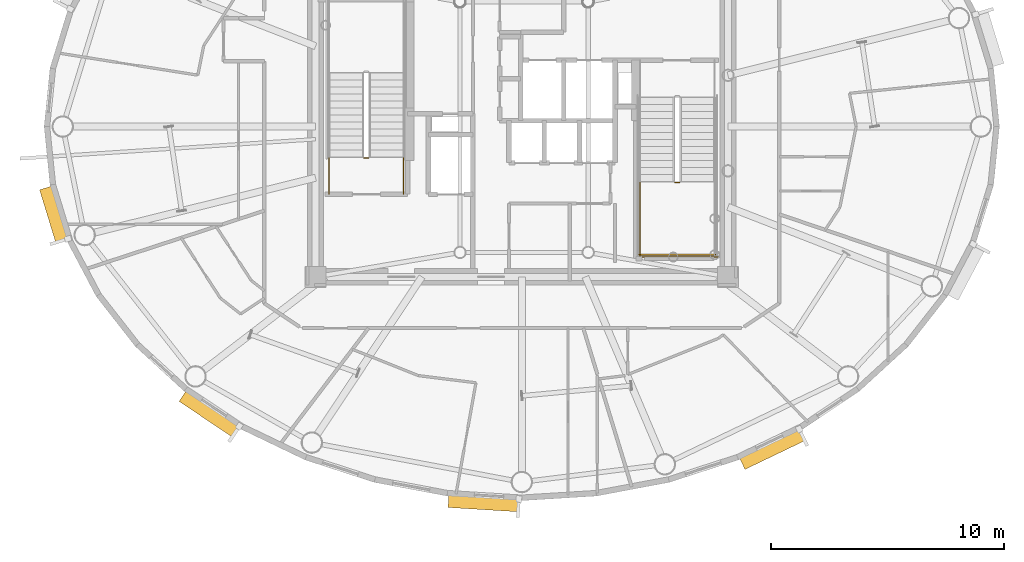
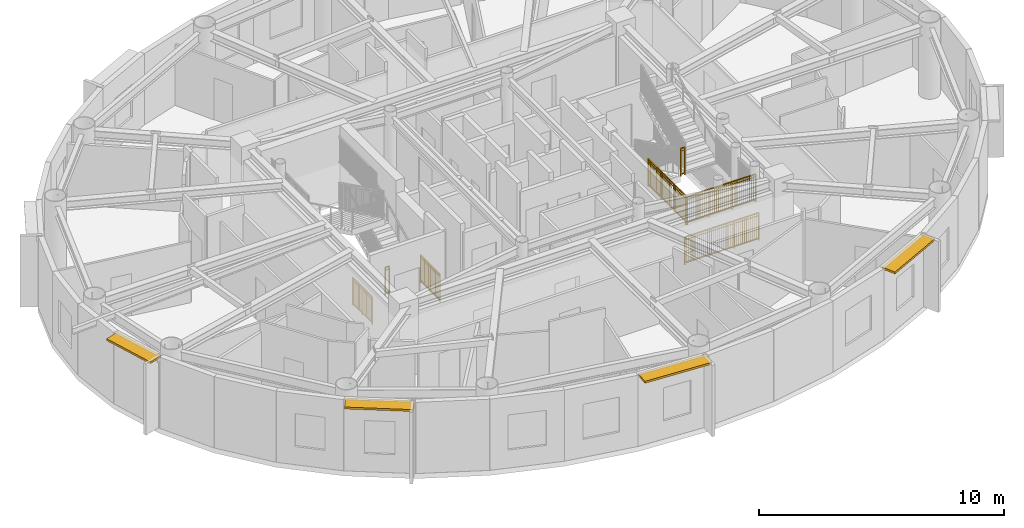
# One storey, part 12 of 17: 7 railings, 4 shading devices.
"""IFC4 building model written with IfcOpenShell, lengths in metres."""

from ifc_helpers import new_model, si_unit, direction, frame, origin, origin_2d, place, context, subcontext, project, spatial, rectangle, extrude, source, transform, mapped, material, layer, layer_set, type_object, element, save


model = new_model("IFC4")

# Units and contexts
model_context = context("Model", 3, precision=1e-05, world=origin(), true_north=direction((0.0, 1.0)))
body_context = subcontext(model_context, "Body", "Model", "MODEL_VIEW")
ifc_project = project(units=[si_unit("LENGTHUNIT", "METRE"), si_unit("AREAUNIT", "SQUARE_METRE"), si_unit("VOLUMEUNIT", "CUBIC_METRE"), si_unit("PLANEANGLEUNIT", "RADIAN"), si_unit("MASSUNIT", "GRAM", prefix="KILO")], contexts=[model_context])

# Site, building, storey
site_placement = place(None, origin())
site = spatial("IfcSite", under=ifc_project, at=site_placement, CompositionType="ELEMENT")
building_placement = place(site_placement, origin())
building = spatial("IfcBuilding", under=site, at=building_placement, Name="Linh Dai School and Residence Tower", CompositionType="ELEMENT")
storey_placement = place(building_placement, frame((0.0, 0.0, 331.60009765625)))
storey = spatial("IfcBuildingStorey", under=building, at=storey_placement, Name="L82", CompositionType="ELEMENT", Elevation=331.60009765625)

# Shading devices
ifc_material_1 = material(Name="Terracotta Ceramic Sunshade", Category="masonry")
ifc_layer = layer(ifc_material_1, 0.10009765625)
ifc_layer_set = layer_set([ifc_layer], Name="Terracotta Ceramic Sunshade")
shading_device_type = type_object("IfcShadingDeviceType", Name="SHD-TC-650", PredefinedType="USERDEFINED", material=ifc_layer_set)
shared_shape_1 = source(origin(), body_context, "Body", "SweptSolid", [
    extrude(rectangle(XDim=2.4365234375, YDim=0.64990234375, at=origin_2d()), origin(), (0.0, 0.0, 1.0), 0.10009765625),
])
shading_device_1_placement = place(storey_placement, frame((15.974365234375, 23.21630859375, 3.429931640625), z_axis=(0.0, 0.0, 1.0), x_axis=(-0.293094784248, 0.956083389379, 0.0)))
element("IfcShadingDevice", 1, at=shading_device_1_placement, inside=storey, type_object=shading_device_type, Name="L82 Terracotta Horizontal Sunshade Band 22", ObjectType="SUNSHADE", PredefinedType="USERDEFINED", context=body_context, shape_type="MappedRepresentation", body=[
    mapped(shared_shape_1, transform((0.0, 0.0, 0.0), x_axis=(1.0, 0.0, 0.0), y_axis=(0.0, 1.0, 0.0), z_axis=(0.0, 0.0, 1.0), scale=1.0)),
])
shared_shape_2 = source(origin(), body_context, "Body", "SweptSolid", [
    extrude(rectangle(XDim=2.8076171875, YDim=0.64990234375, at=origin_2d()), origin(), (0.0, 0.0, 1.0), 0.10009765625),
])
shading_device_2_placement = place(storey_placement, frame((22.638427734375, 14.696044921875, 3.429931640625), z_axis=(0.0, 0.0, 1.0), x_axis=(-0.831201837679, 0.555970777144, 0.0)))
element("IfcShadingDevice", 2, at=shading_device_2_placement, inside=storey, type_object=shading_device_type, Name="L82 Terracotta Horizontal Sunshade Band 26", ObjectType="SUNSHADE", PredefinedType="USERDEFINED", context=body_context, shape_type="MappedRepresentation", body=[
    mapped(shared_shape_2, transform((0.0, 0.0, 0.0), x_axis=(1.0, 0.0, 0.0), y_axis=(0.0, 1.0, 0.0), z_axis=(0.0, 0.0, 1.0), scale=1.0)),
])
shared_shape_3 = source(origin(), body_context, "Body", "SweptSolid", [
    extrude(rectangle(XDim=3.069580078125, YDim=0.64990234375, at=origin_2d()), origin(), (0.0, 0.0, 1.0), 0.10009765625),
])
shading_device_3_placement = place(storey_placement, frame((34.38671875, 10.8837890625, 3.429931640625), z_axis=(0.0, 0.0, 1.0), x_axis=(-0.998105945335, 0.061518467854, 0.0)))
element("IfcShadingDevice", 3, at=shading_device_3_placement, inside=storey, type_object=shading_device_type, Name="L82 Terracotta Horizontal Sunshade Band 30", ObjectType="SUNSHADE", PredefinedType="USERDEFINED", context=body_context, shape_type="MappedRepresentation", body=[
    mapped(shared_shape_3, transform((0.0, 0.0, 0.0), x_axis=(1.0, 0.0, 0.0), y_axis=(0.0, 1.0, 0.0), z_axis=(0.0, 0.0, 1.0), scale=1.0)),
])
shared_shape_4 = source(origin(), body_context, "Body", "SweptSolid", [
    extrude(rectangle(XDim=2.904052734375, YDim=0.64990234375, at=origin_2d()), origin(), (0.0, 0.0, 1.0), 0.10009765625),
])
shading_device_4_placement = place(storey_placement, frame((46.74755859375, 13.20849609375, 3.429931640625), z_axis=(0.0, 0.0, 1.0), x_axis=(-0.901550652892, -0.432673572419, 0.0)))
element("IfcShadingDevice", 4, at=shading_device_4_placement, inside=storey, type_object=shading_device_type, Name="L82 Terracotta Horizontal Sunshade Band 34", ObjectType="SUNSHADE", PredefinedType="USERDEFINED", context=body_context, shape_type="MappedRepresentation", body=[
    mapped(shared_shape_4, transform((0.0, 0.0, 0.0), x_axis=(1.0, 0.0, 0.0), y_axis=(0.0, 1.0, 0.0), z_axis=(0.0, 0.0, 1.0), scale=1.0)),
])

# Railings
ifc_material_2 = material(Name="Structural Steel S355JR", Category="steel")
railing_type = type_object("IfcRailingType", Name="RL-ST-GUARD-1400", PredefinedType="GUARDRAIL", material=ifc_material_2)
shared_shape_5 = source(origin(), body_context, "Body", "SweptSolid", [
    extrude(rectangle(XDim=0.048095703125, YDim=0.048095703125, at=origin_2d()), frame((0.0, 0.0, 1.3759765625), z_axis=(-1.0, 0.0, 0.0), x_axis=(0.0, -1.0, 0.0)), (0.0, 0.0, 1.0), 0.199951171875),
    extrude(rectangle(XDim=0.048095703125, YDim=0.048095703125, at=origin_2d()), frame((0.0, 0.0, 0.10009765625), z_axis=(-1.0, 0.0, 0.0), x_axis=(0.0, -1.0, 0.0)), (0.0, 0.0, 1.0), 0.199951171875),
    extrude(rectangle(XDim=0.030029296875, YDim=0.030029296875, at=origin_2d()), frame((0.0, 0.0, 1.239990234375), z_axis=(-1.0, 0.0, 0.0), x_axis=(0.0, -1.0, 0.0)), (0.0, 0.0, 1.0), 0.199951171875),
    extrude(rectangle(XDim=0.0419921875, YDim=0.0419921875, at=origin_2d()), origin(), (0.0, 0.0, 1.0), 1.3759765625),
    extrude(rectangle(XDim=0.0419921875, YDim=0.0419921875, at=origin_2d()), frame((-0.199951171875, 0.0, 0.0)), (0.0, 0.0, 1.0), 1.3759765625),
])
railing_1_placement = place(storey_placement, frame((29.429931640625, 25.64990234375, 0.0)))
element("IfcRailing", 5, at=railing_1_placement, inside=storey, type_object=railing_type, Name="L82 ST1 stair guard 7", PredefinedType="GUARDRAIL", context=body_context, shape_type="MappedRepresentation", body=[
    mapped(shared_shape_5, transform((0.0, 0.0, 0.0), x_axis=(1.0, 0.0, 0.0), y_axis=(0.0, 1.0, 0.0), z_axis=(0.0, 0.0, 1.0), scale=1.0)),
])
shared_shape_6 = source(origin(), body_context, "Body", "SweptSolid", [
    extrude(rectangle(XDim=0.048095703125, YDim=0.048095703125, at=origin_2d()), frame((0.0, 0.0, 1.3759765625), z_axis=(0.0, 1.0, 0.0), x_axis=(-1.0, 0.0, 0.0)), (0.0, 0.0, 1.0), 1.599853515625),
    extrude(rectangle(XDim=0.048095703125, YDim=0.048095703125, at=origin_2d()), frame((0.0, 0.0, 0.10009765625), z_axis=(0.0, 1.0, 0.0), x_axis=(-1.0, 0.0, 0.0)), (0.0, 0.0, 1.0), 1.599853515625),
    extrude(rectangle(XDim=0.030029296875, YDim=0.030029296875, at=origin_2d()), frame((0.0, 0.0, 1.239990234375), z_axis=(0.0, 1.0, 0.0), x_axis=(-1.0, 0.0, 0.0)), (0.0, 0.0, 1.0), 1.599853515625),
    extrude(rectangle(XDim=0.02001953125, YDim=0.02001953125, at=origin_2d()), frame((0.0, 0.093994140625, 0.10009765625)), (0.0, 0.0, 1.0), 1.251708984375),
    extrude(rectangle(XDim=0.02001953125, YDim=0.02001953125, at=origin_2d()), frame((0.0, 0.188232421875, 0.10009765625)), (0.0, 0.0, 1.0), 1.251708984375),
    extrude(rectangle(XDim=0.02001953125, YDim=0.02001953125, at=origin_2d()), frame((0.0, 0.2822265625, 0.10009765625)), (0.0, 0.0, 1.0), 1.251708984375),
    extrude(rectangle(XDim=0.02001953125, YDim=0.02001953125, at=origin_2d()), frame((0.0, 0.37646484375, 0.10009765625)), (0.0, 0.0, 1.0), 1.251708984375),
    extrude(rectangle(XDim=0.02001953125, YDim=0.02001953125, at=origin_2d()), frame((0.0, 0.470458984375, 0.10009765625)), (0.0, 0.0, 1.0), 1.251708984375),
    extrude(rectangle(XDim=0.02001953125, YDim=0.02001953125, at=origin_2d()), frame((0.0, 0.564697265625, 0.10009765625)), (0.0, 0.0, 1.0), 1.251708984375),
    extrude(rectangle(XDim=0.02001953125, YDim=0.02001953125, at=origin_2d()), frame((0.0, 0.65869140625, 0.10009765625)), (0.0, 0.0, 1.0), 1.251708984375),
    extrude(rectangle(XDim=0.02001953125, YDim=0.02001953125, at=origin_2d()), frame((0.0, 0.7529296875, 0.10009765625)), (0.0, 0.0, 1.0), 1.251708984375),
    extrude(rectangle(XDim=0.02001953125, YDim=0.02001953125, at=origin_2d()), frame((0.0, 0.846923828125, 0.10009765625)), (0.0, 0.0, 1.0), 1.251708984375),
    extrude(rectangle(XDim=0.02001953125, YDim=0.02001953125, at=origin_2d()), frame((0.0, 0.941162109375, 0.10009765625)), (0.0, 0.0, 1.0), 1.251708984375),
    extrude(rectangle(XDim=0.02001953125, YDim=0.02001953125, at=origin_2d()), frame((0.0, 1.03515625, 0.10009765625)), (0.0, 0.0, 1.0), 1.251708984375),
    extrude(rectangle(XDim=0.02001953125, YDim=0.02001953125, at=origin_2d()), frame((0.0, 1.12939453125, 0.10009765625)), (0.0, 0.0, 1.0), 1.251708984375),
    extrude(rectangle(XDim=0.02001953125, YDim=0.02001953125, at=origin_2d()), frame((0.0, 1.223388671875, 0.10009765625)), (0.0, 0.0, 1.0), 1.251708984375),
    extrude(rectangle(XDim=0.02001953125, YDim=0.02001953125, at=origin_2d()), frame((0.0, 1.317626953125, 0.10009765625)), (0.0, 0.0, 1.0), 1.251708984375),
    extrude(rectangle(XDim=0.02001953125, YDim=0.02001953125, at=origin_2d()), frame((0.0, 1.41162109375, 0.10009765625)), (0.0, 0.0, 1.0), 1.251708984375),
    extrude(rectangle(XDim=0.02001953125, YDim=0.02001953125, at=origin_2d()), frame((0.0, 1.505859375, 0.10009765625)), (0.0, 0.0, 1.0), 1.251708984375),
    extrude(rectangle(XDim=0.0419921875, YDim=0.0419921875, at=origin_2d()), origin(), (0.0, 0.0, 1.0), 1.3759765625),
    extrude(rectangle(XDim=0.0419921875, YDim=0.0419921875, at=origin_2d()), frame((0.0, 0.7998046875, 0.0)), (0.0, 0.0, 1.0), 1.3759765625),
    extrude(rectangle(XDim=0.0419921875, YDim=0.0419921875, at=origin_2d()), frame((0.0, 1.599853515625, 0.0)), (0.0, 0.0, 1.0), 1.3759765625),
])
for number, where, name in (
    (6, (30.929931640625, 24.10009765625, 0.0), "L82 ST1 stair guard 8"),
    (7, (27.72998046875, 24.10009765625, 0.0), "L82 ST1 stair guard 9"),
):
    element("IfcRailing", number, at=place(storey_placement, frame(where)), inside=storey, type_object=railing_type, Name=name, PredefinedType="GUARDRAIL", context=body_context, shape_type="MappedRepresentation", body=[
        mapped(shared_shape_6, transform((0.0, 0.0, 0.0), x_axis=(1.0, 0.0, 0.0), y_axis=(0.0, 1.0, 0.0), z_axis=(0.0, 0.0, 1.0), scale=1.0)),
    ])
shared_shape_7 = source(origin(), body_context, "Body", "SweptSolid", [
    extrude(rectangle(XDim=0.048095703125, YDim=0.048095703125, at=origin_2d()), frame((0.0, 0.0, 1.3759765625), z_axis=(1.0, 0.0, 0.0), x_axis=(0.0, 1.0, 0.0)), (0.0, 0.0, 1.0), 0.199951171875),
    extrude(rectangle(XDim=0.048095703125, YDim=0.048095703125, at=origin_2d()), frame((0.0, 0.0, 0.10009765625), z_axis=(1.0, 0.0, 0.0), x_axis=(0.0, 1.0, 0.0)), (0.0, 0.0, 1.0), 0.199951171875),
    extrude(rectangle(XDim=0.030029296875, YDim=0.030029296875, at=origin_2d()), frame((0.0, 0.0, 1.239990234375), z_axis=(1.0, 0.0, 0.0), x_axis=(0.0, 1.0, 0.0)), (0.0, 0.0, 1.0), 0.199951171875),
    extrude(rectangle(XDim=0.0419921875, YDim=0.0419921875, at=origin_2d()), origin(), (0.0, 0.0, 1.0), 1.3759765625),
    extrude(rectangle(XDim=0.0419921875, YDim=0.0419921875, at=origin_2d()), frame((0.199951171875, 0.0, 0.0)), (0.0, 0.0, 1.0), 1.3759765625),
])
railing_2_placement = place(storey_placement, frame((42.570068359375, 24.60009765625, 1.89990234375)))
element("IfcRailing", 8, at=railing_2_placement, inside=storey, type_object=railing_type, Name="L82 ST2 stair guard 2", PredefinedType="GUARDRAIL", context=body_context, shape_type="MappedRepresentation", body=[
    mapped(shared_shape_7, transform((0.0, 0.0, 0.0), x_axis=(1.0, 0.0, 0.0), y_axis=(0.0, 1.0, 0.0), z_axis=(0.0, 0.0, 1.0), scale=1.0)),
])
shared_shape_8 = source(origin(), body_context, "Body", "SweptSolid", [
    extrude(rectangle(XDim=0.048095703125, YDim=0.048095703125, at=origin_2d()), frame((0.0, 0.0, 1.3759765625), z_axis=(1.0, 0.0, 0.0), x_axis=(0.0, 1.0, 0.0)), (0.0, 0.0, 1.0), 3.300048828125),
    extrude(rectangle(XDim=0.048095703125, YDim=0.048095703125, at=origin_2d()), frame((0.0, 0.0, 0.10009765625), z_axis=(1.0, 0.0, 0.0), x_axis=(0.0, 1.0, 0.0)), (0.0, 0.0, 1.0), 3.300048828125),
    extrude(rectangle(XDim=0.030029296875, YDim=0.030029296875, at=origin_2d()), frame((0.0, 0.0, 1.239990234375), z_axis=(1.0, 0.0, 0.0), x_axis=(0.0, 1.0, 0.0)), (0.0, 0.0, 1.0), 3.300048828125),
    extrude(rectangle(XDim=0.02001953125, YDim=0.02001953125, at=origin_2d()), frame((0.09716796875, 0.0, 0.10009765625)), (0.0, 0.0, 1.0), 1.251708984375),
    extrude(rectangle(XDim=0.02001953125, YDim=0.02001953125, at=origin_2d()), frame((0.194091796875, 0.0, 0.10009765625)), (0.0, 0.0, 1.0), 1.251708984375),
    extrude(rectangle(XDim=0.02001953125, YDim=0.02001953125, at=origin_2d()), frame((0.291259765625, 0.0, 0.10009765625)), (0.0, 0.0, 1.0), 1.251708984375),
    extrude(rectangle(XDim=0.02001953125, YDim=0.02001953125, at=origin_2d()), frame((0.38818359375, 0.0, 0.10009765625)), (0.0, 0.0, 1.0), 1.251708984375),
    extrude(rectangle(XDim=0.02001953125, YDim=0.02001953125, at=origin_2d()), frame((0.4853515625, 0.0, 0.10009765625)), (0.0, 0.0, 1.0), 1.251708984375),
    extrude(rectangle(XDim=0.02001953125, YDim=0.02001953125, at=origin_2d()), frame((0.582275390625, 0.0, 0.10009765625)), (0.0, 0.0, 1.0), 1.251708984375),
    extrude(rectangle(XDim=0.02001953125, YDim=0.02001953125, at=origin_2d()), frame((0.679443359375, 0.0, 0.10009765625)), (0.0, 0.0, 1.0), 1.251708984375),
    extrude(rectangle(XDim=0.02001953125, YDim=0.02001953125, at=origin_2d()), frame((0.7763671875, 0.0, 0.10009765625)), (0.0, 0.0, 1.0), 1.251708984375),
    extrude(rectangle(XDim=0.02001953125, YDim=0.02001953125, at=origin_2d()), frame((0.87353515625, 0.0, 0.10009765625)), (0.0, 0.0, 1.0), 1.251708984375),
    extrude(rectangle(XDim=0.02001953125, YDim=0.02001953125, at=origin_2d()), frame((0.970703125, 0.0, 0.10009765625)), (0.0, 0.0, 1.0), 1.251708984375),
    extrude(rectangle(XDim=0.02001953125, YDim=0.02001953125, at=origin_2d()), frame((1.164794921875, 0.0, 0.10009765625)), (0.0, 0.0, 1.0), 1.251708984375),
    extrude(rectangle(XDim=0.02001953125, YDim=0.02001953125, at=origin_2d()), frame((1.26171875, 0.0, 0.10009765625)), (0.0, 0.0, 1.0), 1.251708984375),
    extrude(rectangle(XDim=0.02001953125, YDim=0.02001953125, at=origin_2d()), frame((1.35888671875, 0.0, 0.10009765625)), (0.0, 0.0, 1.0), 1.251708984375),
    extrude(rectangle(XDim=0.02001953125, YDim=0.02001953125, at=origin_2d()), frame((1.455810546875, 0.0, 0.10009765625)), (0.0, 0.0, 1.0), 1.251708984375),
    extrude(rectangle(XDim=0.02001953125, YDim=0.02001953125, at=origin_2d()), frame((1.552978515625, 0.0, 0.10009765625)), (0.0, 0.0, 1.0), 1.251708984375),
    extrude(rectangle(XDim=0.02001953125, YDim=0.02001953125, at=origin_2d()), frame((1.64990234375, 0.0, 0.10009765625)), (0.0, 0.0, 1.0), 1.251708984375),
    extrude(rectangle(XDim=0.02001953125, YDim=0.02001953125, at=origin_2d()), frame((1.7470703125, 0.0, 0.10009765625)), (0.0, 0.0, 1.0), 1.251708984375),
    extrude(rectangle(XDim=0.02001953125, YDim=0.02001953125, at=origin_2d()), frame((1.84423828125, 0.0, 0.10009765625)), (0.0, 0.0, 1.0), 1.251708984375),
    extrude(rectangle(XDim=0.02001953125, YDim=0.02001953125, at=origin_2d()), frame((1.941162109375, 0.0, 0.10009765625)), (0.0, 0.0, 1.0), 1.251708984375),
    extrude(rectangle(XDim=0.02001953125, YDim=0.02001953125, at=origin_2d()), frame((2.038330078125, 0.0, 0.10009765625)), (0.0, 0.0, 1.0), 1.251708984375),
    extrude(rectangle(XDim=0.02001953125, YDim=0.02001953125, at=origin_2d()), frame((2.13525390625, 0.0, 0.10009765625)), (0.0, 0.0, 1.0), 1.251708984375),
    extrude(rectangle(XDim=0.02001953125, YDim=0.02001953125, at=origin_2d()), frame((2.329345703125, 0.0, 0.10009765625)), (0.0, 0.0, 1.0), 1.251708984375),
    extrude(rectangle(XDim=0.02001953125, YDim=0.02001953125, at=origin_2d()), frame((2.426513671875, 0.0, 0.10009765625)), (0.0, 0.0, 1.0), 1.251708984375),
    extrude(rectangle(XDim=0.02001953125, YDim=0.02001953125, at=origin_2d()), frame((2.523681640625, 0.0, 0.10009765625)), (0.0, 0.0, 1.0), 1.251708984375),
    extrude(rectangle(XDim=0.02001953125, YDim=0.02001953125, at=origin_2d()), frame((2.62060546875, 0.0, 0.10009765625)), (0.0, 0.0, 1.0), 1.251708984375),
    extrude(rectangle(XDim=0.02001953125, YDim=0.02001953125, at=origin_2d()), frame((2.7177734375, 0.0, 0.10009765625)), (0.0, 0.0, 1.0), 1.251708984375),
    extrude(rectangle(XDim=0.02001953125, YDim=0.02001953125, at=origin_2d()), frame((2.814697265625, 0.0, 0.10009765625)), (0.0, 0.0, 1.0), 1.251708984375),
    extrude(rectangle(XDim=0.02001953125, YDim=0.02001953125, at=origin_2d()), frame((2.911865234375, 0.0, 0.10009765625)), (0.0, 0.0, 1.0), 1.251708984375),
    extrude(rectangle(XDim=0.02001953125, YDim=0.02001953125, at=origin_2d()), frame((3.0087890625, 0.0, 0.10009765625)), (0.0, 0.0, 1.0), 1.251708984375),
    extrude(rectangle(XDim=0.02001953125, YDim=0.02001953125, at=origin_2d()), frame((3.10595703125, 0.0, 0.10009765625)), (0.0, 0.0, 1.0), 1.251708984375),
    extrude(rectangle(XDim=0.02001953125, YDim=0.02001953125, at=origin_2d()), frame((3.202880859375, 0.0, 0.10009765625)), (0.0, 0.0, 1.0), 1.251708984375),
    extrude(rectangle(XDim=0.0419921875, YDim=0.0419921875, at=origin_2d()), origin(), (0.0, 0.0, 1.0), 1.3759765625),
    extrude(rectangle(XDim=0.0419921875, YDim=0.0419921875, at=origin_2d()), frame((1.10009765625, 0.0, 0.0)), (0.0, 0.0, 1.0), 1.3759765625),
    extrude(rectangle(XDim=0.0419921875, YDim=0.0419921875, at=origin_2d()), frame((2.199951171875, 0.0, 0.0)), (0.0, 0.0, 1.0), 1.3759765625),
    extrude(rectangle(XDim=0.0419921875, YDim=0.0419921875, at=origin_2d()), frame((3.300048828125, 0.0, 0.0)), (0.0, 0.0, 1.0), 1.3759765625),
])
railing_3_placement = place(storey_placement, frame((41.02001953125, 21.5, 1.89990234375)))
element("IfcRailing", 9, at=railing_3_placement, inside=storey, type_object=railing_type, Name="L82 ST2 stair guard 5", PredefinedType="GUARDRAIL", context=body_context, shape_type="MappedRepresentation", body=[
    mapped(shared_shape_8, transform((0.0, 0.0, 0.0), x_axis=(1.0, 0.0, 0.0), y_axis=(0.0, 1.0, 0.0), z_axis=(0.0, 0.0, 1.0), scale=1.0)),
])
shared_shape_9 = source(origin(), body_context, "Body", "SweptSolid", [
    extrude(rectangle(XDim=0.048095703125, YDim=0.048095703125, at=origin_2d()), frame((0.0, 0.0, 1.3759765625), z_axis=(1.0, 0.0, 0.0), x_axis=(0.0, 1.0, 0.0)), (0.0, 0.0, 1.0), 3.5),
    extrude(rectangle(XDim=0.048095703125, YDim=0.048095703125, at=origin_2d()), frame((0.0, 0.0, 0.10009765625), z_axis=(1.0, 0.0, 0.0), x_axis=(0.0, 1.0, 0.0)), (0.0, 0.0, 1.0), 3.5),
    extrude(rectangle(XDim=0.030029296875, YDim=0.030029296875, at=origin_2d()), frame((0.0, 0.0, 1.239990234375), z_axis=(1.0, 0.0, 0.0), x_axis=(0.0, 1.0, 0.0)), (0.0, 0.0, 1.0), 3.5),
    extrude(rectangle(XDim=0.02001953125, YDim=0.02001953125, at=origin_2d()), frame((0.09716796875, 0.0, 0.10009765625)), (0.0, 0.0, 1.0), 1.251708984375),
    extrude(rectangle(XDim=0.02001953125, YDim=0.02001953125, at=origin_2d()), frame((0.1943359375, 0.0, 0.10009765625)), (0.0, 0.0, 1.0), 1.251708984375),
    extrude(rectangle(XDim=0.02001953125, YDim=0.02001953125, at=origin_2d()), frame((0.291748046875, 0.0, 0.10009765625)), (0.0, 0.0, 1.0), 1.251708984375),
    extrude(rectangle(XDim=0.02001953125, YDim=0.02001953125, at=origin_2d()), frame((0.388916015625, 0.0, 0.10009765625)), (0.0, 0.0, 1.0), 1.251708984375),
    extrude(rectangle(XDim=0.02001953125, YDim=0.02001953125, at=origin_2d()), frame((0.486083984375, 0.0, 0.10009765625)), (0.0, 0.0, 1.0), 1.251708984375),
    extrude(rectangle(XDim=0.02001953125, YDim=0.02001953125, at=origin_2d()), frame((0.583251953125, 0.0, 0.10009765625)), (0.0, 0.0, 1.0), 1.251708984375),
    extrude(rectangle(XDim=0.02001953125, YDim=0.02001953125, at=origin_2d()), frame((0.6806640625, 0.0, 0.10009765625)), (0.0, 0.0, 1.0), 1.251708984375),
    extrude(rectangle(XDim=0.02001953125, YDim=0.02001953125, at=origin_2d()), frame((0.77783203125, 0.0, 0.10009765625)), (0.0, 0.0, 1.0), 1.251708984375),
    extrude(rectangle(XDim=0.02001953125, YDim=0.02001953125, at=origin_2d()), frame((0.875, 0.0, 0.10009765625)), (0.0, 0.0, 1.0), 1.251708984375),
    extrude(rectangle(XDim=0.02001953125, YDim=0.02001953125, at=origin_2d()), frame((0.97216796875, 0.0, 0.10009765625)), (0.0, 0.0, 1.0), 1.251708984375),
    extrude(rectangle(XDim=0.02001953125, YDim=0.02001953125, at=origin_2d()), frame((1.0693359375, 0.0, 0.10009765625)), (0.0, 0.0, 1.0), 1.251708984375),
    extrude(rectangle(XDim=0.02001953125, YDim=0.02001953125, at=origin_2d()), frame((1.263916015625, 0.0, 0.10009765625)), (0.0, 0.0, 1.0), 1.251708984375),
    extrude(rectangle(XDim=0.02001953125, YDim=0.02001953125, at=origin_2d()), frame((1.361083984375, 0.0, 0.10009765625)), (0.0, 0.0, 1.0), 1.251708984375),
    extrude(rectangle(XDim=0.02001953125, YDim=0.02001953125, at=origin_2d()), frame((1.458251953125, 0.0, 0.10009765625)), (0.0, 0.0, 1.0), 1.251708984375),
    extrude(rectangle(XDim=0.02001953125, YDim=0.02001953125, at=origin_2d()), frame((1.5556640625, 0.0, 0.10009765625)), (0.0, 0.0, 1.0), 1.251708984375),
    extrude(rectangle(XDim=0.02001953125, YDim=0.02001953125, at=origin_2d()), frame((1.65283203125, 0.0, 0.10009765625)), (0.0, 0.0, 1.0), 1.251708984375),
    extrude(rectangle(XDim=0.02001953125, YDim=0.02001953125, at=origin_2d()), frame((1.75, 0.0, 0.10009765625)), (0.0, 0.0, 1.0), 1.251708984375),
    extrude(rectangle(XDim=0.02001953125, YDim=0.02001953125, at=origin_2d()), frame((1.84716796875, 0.0, 0.10009765625)), (0.0, 0.0, 1.0), 1.251708984375),
    extrude(rectangle(XDim=0.02001953125, YDim=0.02001953125, at=origin_2d()), frame((1.9443359375, 0.0, 0.10009765625)), (0.0, 0.0, 1.0), 1.251708984375),
    extrude(rectangle(XDim=0.02001953125, YDim=0.02001953125, at=origin_2d()), frame((2.041748046875, 0.0, 0.10009765625)), (0.0, 0.0, 1.0), 1.251708984375),
    extrude(rectangle(XDim=0.02001953125, YDim=0.02001953125, at=origin_2d()), frame((2.138916015625, 0.0, 0.10009765625)), (0.0, 0.0, 1.0), 1.251708984375),
    extrude(rectangle(XDim=0.02001953125, YDim=0.02001953125, at=origin_2d()), frame((2.236083984375, 0.0, 0.10009765625)), (0.0, 0.0, 1.0), 1.251708984375),
    extrude(rectangle(XDim=0.02001953125, YDim=0.02001953125, at=origin_2d()), frame((2.4306640625, 0.0, 0.10009765625)), (0.0, 0.0, 1.0), 1.251708984375),
    extrude(rectangle(XDim=0.02001953125, YDim=0.02001953125, at=origin_2d()), frame((2.52783203125, 0.0, 0.10009765625)), (0.0, 0.0, 1.0), 1.251708984375),
    extrude(rectangle(XDim=0.02001953125, YDim=0.02001953125, at=origin_2d()), frame((2.625, 0.0, 0.10009765625)), (0.0, 0.0, 1.0), 1.251708984375),
    extrude(rectangle(XDim=0.02001953125, YDim=0.02001953125, at=origin_2d()), frame((2.72216796875, 0.0, 0.10009765625)), (0.0, 0.0, 1.0), 1.251708984375),
    extrude(rectangle(XDim=0.02001953125, YDim=0.02001953125, at=origin_2d()), frame((2.8193359375, 0.0, 0.10009765625)), (0.0, 0.0, 1.0), 1.251708984375),
    extrude(rectangle(XDim=0.02001953125, YDim=0.02001953125, at=origin_2d()), frame((2.916748046875, 0.0, 0.10009765625)), (0.0, 0.0, 1.0), 1.251708984375),
    extrude(rectangle(XDim=0.02001953125, YDim=0.02001953125, at=origin_2d()), frame((3.013916015625, 0.0, 0.10009765625)), (0.0, 0.0, 1.0), 1.251708984375),
    extrude(rectangle(XDim=0.02001953125, YDim=0.02001953125, at=origin_2d()), frame((3.111083984375, 0.0, 0.10009765625)), (0.0, 0.0, 1.0), 1.251708984375),
    extrude(rectangle(XDim=0.02001953125, YDim=0.02001953125, at=origin_2d()), frame((3.208251953125, 0.0, 0.10009765625)), (0.0, 0.0, 1.0), 1.251708984375),
    extrude(rectangle(XDim=0.02001953125, YDim=0.02001953125, at=origin_2d()), frame((3.3056640625, 0.0, 0.10009765625)), (0.0, 0.0, 1.0), 1.251708984375),
    extrude(rectangle(XDim=0.02001953125, YDim=0.02001953125, at=origin_2d()), frame((3.40283203125, 0.0, 0.10009765625)), (0.0, 0.0, 1.0), 1.251708984375),
    extrude(rectangle(XDim=0.0419921875, YDim=0.0419921875, at=origin_2d()), origin(), (0.0, 0.0, 1.0), 1.3759765625),
    extrude(rectangle(XDim=0.0419921875, YDim=0.0419921875, at=origin_2d()), frame((1.166748046875, 0.0, 0.0)), (0.0, 0.0, 1.0), 1.3759765625),
    extrude(rectangle(XDim=0.0419921875, YDim=0.0419921875, at=origin_2d()), frame((2.333251953125, 0.0, 0.0)), (0.0, 0.0, 1.0), 1.3759765625),
    extrude(rectangle(XDim=0.0419921875, YDim=0.0419921875, at=origin_2d()), frame((3.5, 0.0, 0.0)), (0.0, 0.0, 1.0), 1.3759765625),
])
railing_4_placement = place(storey_placement, frame((40.919921875, 21.39990234375, 0.0)))
element("IfcRailing", 10, at=railing_4_placement, inside=storey, type_object=railing_type, Name="L82 ST2 stair guard 12", PredefinedType="GUARDRAIL", context=body_context, shape_type="MappedRepresentation", body=[
    mapped(shared_shape_9, transform((0.0, 0.0, 0.0), x_axis=(1.0, 0.0, 0.0), y_axis=(0.0, 1.0, 0.0), z_axis=(0.0, 0.0, 1.0), scale=1.0)),
])
shared_shape_10 = source(origin(), body_context, "Body", "SweptSolid", [
    extrude(rectangle(XDim=0.048095703125, YDim=0.048095703125, at=origin_2d()), frame((0.0, 0.0, 1.3759765625), z_axis=(0.0, -1.0, 0.0), x_axis=(1.0, 0.0, 0.0)), (0.0, 0.0, 1.0), 3.199951171875),
    extrude(rectangle(XDim=0.048095703125, YDim=0.048095703125, at=origin_2d()), frame((0.0, 0.0, 0.10009765625), z_axis=(0.0, -1.0, 0.0), x_axis=(1.0, 0.0, 0.0)), (0.0, 0.0, 1.0), 3.199951171875),
    extrude(rectangle(XDim=0.030029296875, YDim=0.030029296875, at=origin_2d()), frame((0.0, 0.0, 1.239990234375), z_axis=(0.0, -1.0, 0.0), x_axis=(1.0, 0.0, 0.0)), (0.0, 0.0, 1.0), 3.199951171875),
    extrude(rectangle(XDim=0.02001953125, YDim=0.02001953125, at=origin_2d()), frame((0.0, -0.096923828125, 0.10009765625)), (0.0, 0.0, 1.0), 1.251708984375),
    extrude(rectangle(XDim=0.02001953125, YDim=0.02001953125, at=origin_2d()), frame((0.0, -0.19384765625, 0.10009765625)), (0.0, 0.0, 1.0), 1.251708984375),
    extrude(rectangle(XDim=0.02001953125, YDim=0.02001953125, at=origin_2d()), frame((0.0, -0.291015625, 0.10009765625)), (0.0, 0.0, 1.0), 1.251708984375),
    extrude(rectangle(XDim=0.02001953125, YDim=0.02001953125, at=origin_2d()), frame((0.0, -0.387939453125, 0.10009765625)), (0.0, 0.0, 1.0), 1.251708984375),
    extrude(rectangle(XDim=0.02001953125, YDim=0.02001953125, at=origin_2d()), frame((0.0, -0.48486328125, 0.10009765625)), (0.0, 0.0, 1.0), 1.251708984375),
    extrude(rectangle(XDim=0.02001953125, YDim=0.02001953125, at=origin_2d()), frame((0.0, -0.581787109375, 0.10009765625)), (0.0, 0.0, 1.0), 1.251708984375),
    extrude(rectangle(XDim=0.02001953125, YDim=0.02001953125, at=origin_2d()), frame((0.0, -0.6787109375, 0.10009765625)), (0.0, 0.0, 1.0), 1.251708984375),
    extrude(rectangle(XDim=0.02001953125, YDim=0.02001953125, at=origin_2d()), frame((0.0, -0.775634765625, 0.10009765625)), (0.0, 0.0, 1.0), 1.251708984375),
    extrude(rectangle(XDim=0.02001953125, YDim=0.02001953125, at=origin_2d()), frame((0.0, -0.872802734375, 0.10009765625)), (0.0, 0.0, 1.0), 1.251708984375),
    extrude(rectangle(XDim=0.02001953125, YDim=0.02001953125, at=origin_2d()), frame((0.0, -0.9697265625, 0.10009765625)), (0.0, 0.0, 1.0), 1.251708984375),
    extrude(rectangle(XDim=0.02001953125, YDim=0.02001953125, at=origin_2d()), frame((0.0, -1.16357421875, 0.10009765625)), (0.0, 0.0, 1.0), 1.251708984375),
    extrude(rectangle(XDim=0.02001953125, YDim=0.02001953125, at=origin_2d()), frame((0.0, -1.260498046875, 0.10009765625)), (0.0, 0.0, 1.0), 1.251708984375),
    extrude(rectangle(XDim=0.02001953125, YDim=0.02001953125, at=origin_2d()), frame((0.0, -1.357666015625, 0.10009765625)), (0.0, 0.0, 1.0), 1.251708984375),
    extrude(rectangle(XDim=0.02001953125, YDim=0.02001953125, at=origin_2d()), frame((0.0, -1.45458984375, 0.10009765625)), (0.0, 0.0, 1.0), 1.251708984375),
    extrude(rectangle(XDim=0.02001953125, YDim=0.02001953125, at=origin_2d()), frame((0.0, -1.551513671875, 0.10009765625)), (0.0, 0.0, 1.0), 1.251708984375),
    extrude(rectangle(XDim=0.02001953125, YDim=0.02001953125, at=origin_2d()), frame((0.0, -1.6484375, 0.10009765625)), (0.0, 0.0, 1.0), 1.251708984375),
    extrude(rectangle(XDim=0.02001953125, YDim=0.02001953125, at=origin_2d()), frame((0.0, -1.745361328125, 0.10009765625)), (0.0, 0.0, 1.0), 1.251708984375),
    extrude(rectangle(XDim=0.02001953125, YDim=0.02001953125, at=origin_2d()), frame((0.0, -1.84228515625, 0.10009765625)), (0.0, 0.0, 1.0), 1.251708984375),
    extrude(rectangle(XDim=0.02001953125, YDim=0.02001953125, at=origin_2d()), frame((0.0, -1.939453125, 0.10009765625)), (0.0, 0.0, 1.0), 1.251708984375),
    extrude(rectangle(XDim=0.02001953125, YDim=0.02001953125, at=origin_2d()), frame((0.0, -2.036376953125, 0.10009765625)), (0.0, 0.0, 1.0), 1.251708984375),
    extrude(rectangle(XDim=0.02001953125, YDim=0.02001953125, at=origin_2d()), frame((0.0, -2.230224609375, 0.10009765625)), (0.0, 0.0, 1.0), 1.251708984375),
    extrude(rectangle(XDim=0.02001953125, YDim=0.02001953125, at=origin_2d()), frame((0.0, -2.3271484375, 0.10009765625)), (0.0, 0.0, 1.0), 1.251708984375),
    extrude(rectangle(XDim=0.02001953125, YDim=0.02001953125, at=origin_2d()), frame((0.0, -2.42431640625, 0.10009765625)), (0.0, 0.0, 1.0), 1.251708984375),
    extrude(rectangle(XDim=0.02001953125, YDim=0.02001953125, at=origin_2d()), frame((0.0, -2.521240234375, 0.10009765625)), (0.0, 0.0, 1.0), 1.251708984375),
    extrude(rectangle(XDim=0.02001953125, YDim=0.02001953125, at=origin_2d()), frame((0.0, -2.6181640625, 0.10009765625)), (0.0, 0.0, 1.0), 1.251708984375),
    extrude(rectangle(XDim=0.02001953125, YDim=0.02001953125, at=origin_2d()), frame((0.0, -2.715087890625, 0.10009765625)), (0.0, 0.0, 1.0), 1.251708984375),
    extrude(rectangle(XDim=0.02001953125, YDim=0.02001953125, at=origin_2d()), frame((0.0, -2.81201171875, 0.10009765625)), (0.0, 0.0, 1.0), 1.251708984375),
    extrude(rectangle(XDim=0.02001953125, YDim=0.02001953125, at=origin_2d()), frame((0.0, -2.908935546875, 0.10009765625)), (0.0, 0.0, 1.0), 1.251708984375),
    extrude(rectangle(XDim=0.02001953125, YDim=0.02001953125, at=origin_2d()), frame((0.0, -3.006103515625, 0.10009765625)), (0.0, 0.0, 1.0), 1.251708984375),
    extrude(rectangle(XDim=0.02001953125, YDim=0.02001953125, at=origin_2d()), frame((0.0, -3.10302734375, 0.10009765625)), (0.0, 0.0, 1.0), 1.251708984375),
    extrude(rectangle(XDim=0.0419921875, YDim=0.0419921875, at=origin_2d()), origin(), (0.0, 0.0, 1.0), 1.3759765625),
    extrude(rectangle(XDim=0.0419921875, YDim=0.0419921875, at=origin_2d()), frame((0.0, -1.066650390625, 0.0)), (0.0, 0.0, 1.0), 1.3759765625),
    extrude(rectangle(XDim=0.0419921875, YDim=0.0419921875, at=origin_2d()), frame((0.0, -2.13330078125, 0.0)), (0.0, 0.0, 1.0), 1.3759765625),
    extrude(rectangle(XDim=0.0419921875, YDim=0.0419921875, at=origin_2d()), frame((0.0, -3.199951171875, 0.0)), (0.0, 0.0, 1.0), 1.3759765625),
])
railing_5_placement = place(storey_placement, frame((41.070068359375, 24.64990234375, 1.89990234375)))
element("IfcRailing", 11, at=railing_5_placement, inside=storey, type_object=railing_type, Name="L82 ST2 stair guard 3", PredefinedType="GUARDRAIL", context=body_context, shape_type="MappedRepresentation", body=[
    mapped(shared_shape_10, transform((0.0, 0.0, 0.0), x_axis=(1.0, 0.0, 0.0), y_axis=(0.0, 1.0, 0.0), z_axis=(0.0, 0.0, 1.0), scale=1.0)),
])

save(model, "model.ifc")
